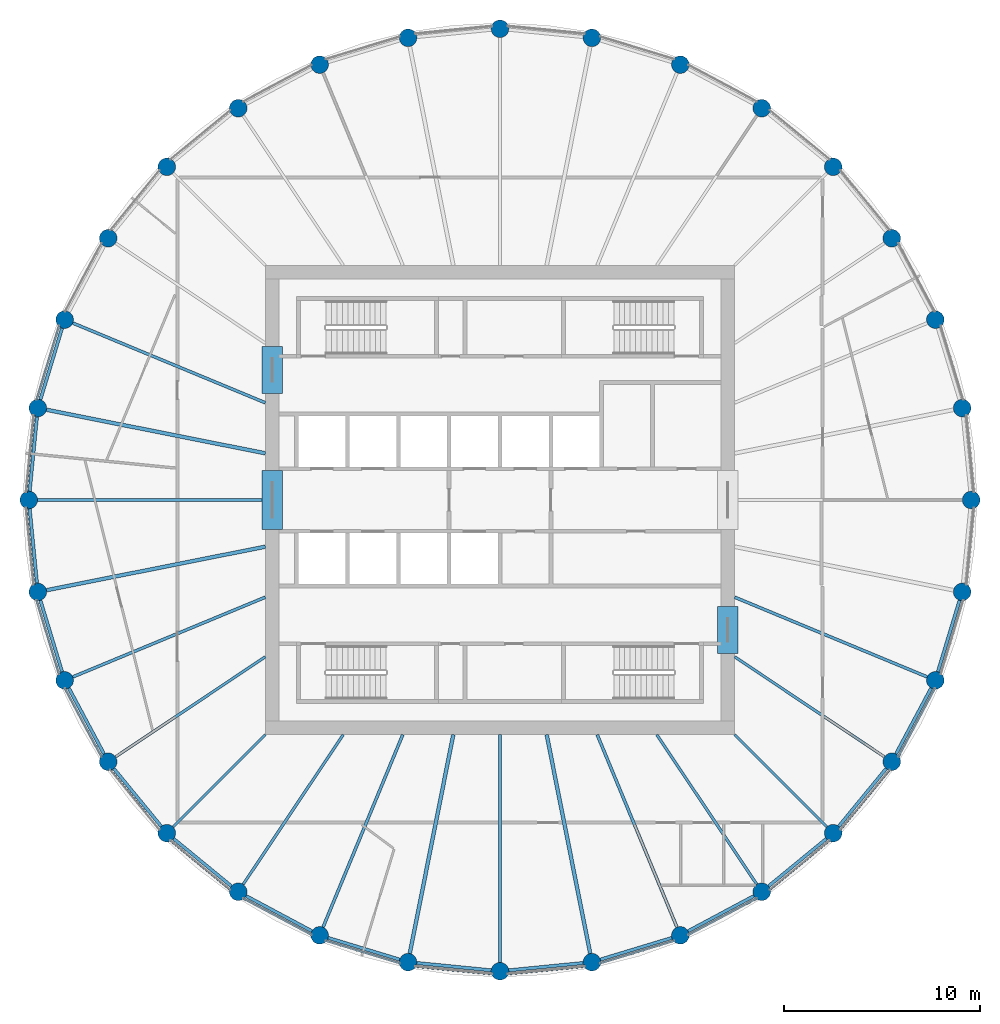
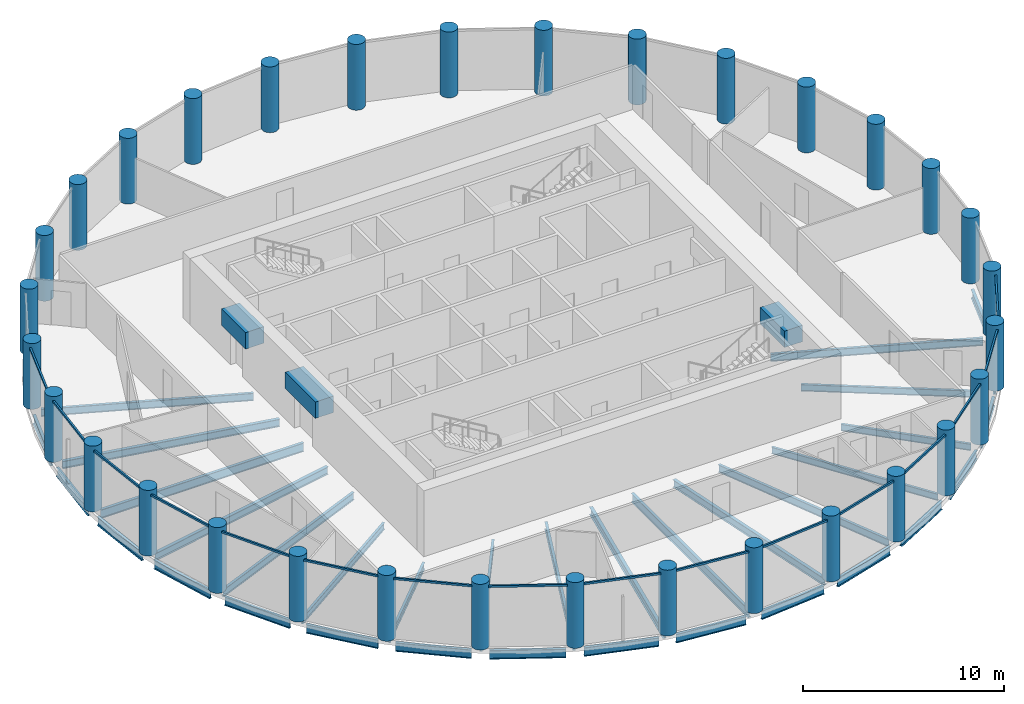
# One storey, part 1 of 7: 37 beams, 32 columns, 16 members, 16 elements without a shape of their own.
"""IFC4 building model written with IfcOpenShell, lengths in metres."""

import ifcopenshell
import ifcopenshell.guid

model = None  # the IFC model being written
_history = None  # IfcOwnerHistory: only IFC2X3 demands one
_inside = {}  # id of a spatial element -> (the spatial element, [elements in it])
_under = {}  # id of a project, library or spatial element -> (it, [spatial elements below it])
_declared = {}  # id of a project -> (the project, [libraries it declares])
_typed = {}  # id of a type object -> (the type object, [elements of that type])
_made_of = {}  # id of a material, layer set ... -> (it, [elements and type objects made of it])


def new_model(schema):
    """Start an empty IFC model of exactly this schema.

    Asked for "IFC4X3", IfcOpenShell would pick the latest addendum, in which some entities
    have other attributes; the version numbers below select the first issue.
    IFC2X3 requires an IfcOwnerHistory on every rooted entity: one is made here for all.
    """
    global model, _history
    if schema == "IFC4X3":
        model = ifcopenshell.file(schema_version=(4, 3, 0, 0))
    else:
        model = ifcopenshell.file(schema=schema)
    _inside.clear()
    _under.clear()
    _declared.clear()
    _typed.clear()
    _made_of.clear()
    _history = None
    if model.schema == "IFC2X3":
        org = make("IfcOrganization", Name="unknown")
        user = make(
            "IfcPersonAndOrganization",
            ThePerson=make("IfcPerson", FamilyName="unknown"),
            TheOrganization=org,
        )
        app = make(
            "IfcApplication",
            ApplicationDeveloper=org,
            Version="unknown",
            ApplicationFullName="unknown",
            ApplicationIdentifier="unknown",
        )
        _history = make(
            "IfcOwnerHistory",
            OwningUser=user,
            OwningApplication=app,
            ChangeAction="ADDED",
            CreationDate=0,
        )
    return model


def make(cls, **values):
    """One entity of the class cls with the attributes given. An attribute that is None is left unset."""
    return model.create_entity(
        cls, **{name: value for name, value in values.items() if value is not None}
    )


def rooted(cls, **values):
    """An entity with a GlobalId (a new one), such as an element, a storey or a relation."""
    return make(cls, GlobalId=ifcopenshell.guid.new(), OwnerHistory=_history, **values)


def si_unit(unit_type, name, prefix=None):
    """IfcSIUnit, for example si_unit("LENGTHUNIT", "METRE", prefix="MILLI")."""
    return make("IfcSIUnit", UnitType=unit_type, Prefix=prefix, Name=name)


def assignment(units):
    """IfcUnitAssignment: the units of a project."""
    return None if units is None else make("IfcUnitAssignment", Units=units)


def point(xyz):
    """IfcCartesianPoint."""
    return None if xyz is None else make("IfcCartesianPoint", Coordinates=xyz)


def direction(xyz):
    """IfcDirection."""
    return None if xyz is None else make("IfcDirection", DirectionRatios=xyz)


def frame(location, z_axis=None, x_axis=None):
    """IfcAxis2Placement3D, a coordinate frame: its origin and axes. An axis left out is left unset."""
    return make(
        "IfcAxis2Placement3D",
        Location=point(location),
        Axis=direction(z_axis),
        RefDirection=direction(x_axis),
    )


def frame_2d(location, x_axis=None):
    """IfcAxis2Placement2D, a coordinate frame in the plane: its origin and x axis."""
    return make(
        "IfcAxis2Placement2D", Location=point(location), RefDirection=direction(x_axis)
    )


def origin():
    """The frame at (0, 0, 0) with its axes left unset."""
    return frame((0.0, 0.0, 0.0))


def origin_2d():
    """The frame at (0, 0) in the plane with its x axis left unset."""
    return frame_2d((0.0, 0.0))


def place(relative_to, where):
    """IfcLocalPlacement: puts the frame where relative to a parent placement (None: the world)."""
    return make(
        "IfcLocalPlacement", PlacementRelTo=relative_to, RelativePlacement=where
    )


def context(
    kind, dimensions, precision=None, world=None, true_north=None, identifier=None
):
    """IfcGeometricRepresentationContext, for example the 3D "Model" context."""
    return make(
        "IfcGeometricRepresentationContext",
        ContextIdentifier=identifier,
        ContextType=kind,
        CoordinateSpaceDimension=dimensions,
        Precision=precision,
        WorldCoordinateSystem=world,
        TrueNorth=true_north,
    )


def subcontext(parent, identifier, kind, view, scale=None):
    """IfcGeometricRepresentationSubContext, for example "Body" below "Model"."""
    return make(
        "IfcGeometricRepresentationSubContext",
        ContextIdentifier=identifier,
        ContextType=kind,
        ParentContext=parent,
        TargetScale=scale,
        TargetView=view,
    )


def project(units=None, contexts=None):
    """IfcProject with its units and contexts."""
    return rooted(
        "IfcProject",
        Name="project",
        RepresentationContexts=contexts,
        UnitsInContext=assignment(units),
    )


def spatial(cls, under=None, at=None, **own):
    """A site, building, storey or space (cls), placed at a placement, below another one or the project."""
    s = rooted(cls, ObjectPlacement=at, **own)
    if under is not None:
        _under.setdefault(under.id(), (under, []))[1].append(s)
    return s


def profile(cls, at=None, kind="AREA", **sizes):
    """A parametric profile (cls). Its sizes go by their IFC names, for example OverallWidth=200.0."""
    return make(cls, ProfileType=kind, Position=at, **sizes)


def rectangle(**sizes):
    """IfcRectangleProfileDef."""
    return profile("IfcRectangleProfileDef", **sizes)


def circle(**sizes):
    """IfcCircleProfileDef."""
    return profile("IfcCircleProfileDef", **sizes)


def i_section(**sizes):
    """IfcIShapeProfileDef."""
    return profile("IfcIShapeProfileDef", **sizes)


def extrude(swept, where, along, depth):
    """IfcExtrudedAreaSolid: the profile swept, set in the frame where, extruded along a direction by depth."""
    return make(
        "IfcExtrudedAreaSolid",
        SweptArea=swept,
        Position=where,
        ExtrudedDirection=direction(along),
        Depth=depth,
    )


def shape(context_of_items, identifier, shape_type, items):
    """IfcShapeRepresentation: the items that make up one representation, for example the "Body"."""
    return make(
        "IfcShapeRepresentation",
        ContextOfItems=context_of_items,
        RepresentationIdentifier=identifier,
        RepresentationType=shape_type,
        Items=items,
    )


def material(Name=None, Category=None):
    """IfcMaterial."""
    return make("IfcMaterial", Name=Name, Category=Category)


def material_profile(
    of_material, cross_section, Name=None, Category=None, Priority=None
):
    """IfcMaterialProfile: a cross section and its material."""
    return make(
        "IfcMaterialProfile",
        Name=Name,
        Material=of_material,
        Profile=cross_section,
        Priority=Priority,
        Category=Category,
    )


def profile_set(profiles, Name=None, composite=None):
    """IfcMaterialProfileSet."""
    return make(
        "IfcMaterialProfileSet",
        Name=Name,
        MaterialProfiles=profiles,
        CompositeProfile=composite,
    )


def made_of(thing, what):
    """Note that an element or type object is made of a material, layer set ...; save() writes the relation."""
    if what is not None:
        _made_of.setdefault(what.id(), (what, []))[1].append(thing)
    return thing


def type_object(cls, material=None, **own):
    """A type object (cls), such as IfcWallType, which elements share."""
    return made_of(rooted(cls, **own), material)


def element(
    cls,
    number,
    at=None,
    inside=None,
    cuts=None,
    type_object=None,
    material=None,
    context=None,
    identifier="Body",
    shape_type=None,
    held_by="IfcProductDefinitionShape",
    body=None,
    shapes=None,
    **own,
):
    """One element of the class cls, such as IfcWall. Its Tag is "e" and its number.

    at: its placement. inside: the storey or other place that contains it. cuts: it is an
    opening in that element (IfcRelVoidsElement). A single representation is given by context,
    identifier, shape_type and body (its items); several are given by shapes. held_by: the class
    of the entity that holds the representations. save() writes the other relations.
    """
    e = rooted(cls, Tag="e%d" % number, ObjectPlacement=at, **own)
    if body is not None:
        shapes = [shape(context, identifier, shape_type, body)]
    if shapes is not None:
        e.Representation = make(held_by, Representations=shapes)
    if inside is not None:
        _inside.setdefault(inside.id(), (inside, []))[1].append(e)
    if cuts is not None:
        rooted(
            "IfcRelVoidsElement", RelatingBuildingElement=cuts, RelatedOpeningElement=e
        )
    if type_object is not None:
        _typed.setdefault(type_object.id(), (type_object, []))[1].append(e)
    return made_of(e, material)


def aggregate(whole, parts):
    """IfcRelAggregates: a whole, such as a stair, and the parts it consists of."""
    return rooted("IfcRelAggregates", RelatingObject=whole, RelatedObjects=parts)


def save(model, path):
    """Write the relations noted so far, then the file.

    IfcRelAggregates (storeys below a building ...), IfcRelContainedInSpatialStructure (elements
    in a storey), IfcRelDefinesByType, IfcRelAssociatesMaterial and IfcRelDeclares: one each for
    every whole, place, type object, material and project.
    """
    for whole, parts in _under.values():
        aggregate(whole, parts)
    for where, things in _inside.values():
        rooted(
            "IfcRelContainedInSpatialStructure",
            RelatedElements=things,
            RelatingStructure=where,
        )
    for kind, things in _typed.values():
        rooted("IfcRelDefinesByType", RelatedObjects=things, RelatingType=kind)
    for what, things in _made_of.values():
        rooted("IfcRelAssociatesMaterial", RelatedObjects=things, RelatingMaterial=what)
    for by, libraries in _declared.values():
        rooted("IfcRelDeclares", RelatingContext=by, RelatedDefinitions=libraries)
    model.write(path)


model = new_model("IFC4")

# Units and contexts
model_context = context("Model", 3, precision=1e-05, world=origin(), true_north=direction((0.0, 1.0)))
body_context = subcontext(model_context, "Body", "Model", "MODEL_VIEW")
ifc_project = project(units=[si_unit("LENGTHUNIT", "METRE"), si_unit("AREAUNIT", "SQUARE_METRE"), si_unit("VOLUMEUNIT", "CUBIC_METRE"), si_unit("PLANEANGLEUNIT", "RADIAN"), si_unit("MASSUNIT", "GRAM", prefix="KILO")], contexts=[model_context])

# Site, building, storey
site_placement = place(None, origin())
site = spatial("IfcSite", under=ifc_project, at=site_placement, CompositionType="ELEMENT")
building_placement = place(site_placement, origin())
building = spatial("IfcBuilding", under=site, at=building_placement, Name="Corvane Civic Tower", CompositionType="ELEMENT")
storey_placement = place(building_placement, frame((0.0, 0.0, 271.0)))
storey = spatial("IfcBuildingStorey", under=building, at=storey_placement, Name="L64", CompositionType="ELEMENT", Elevation=271.0)

# Columns
ifc_material_1 = material(Name="Concrete C60/75", Category="concrete")
ifc_material_profile_1 = material_profile(ifc_material_1, circle(Radius=0.449951171875, at=origin_2d()), Name="COLUMN 900")
ifc_profile_set_1 = profile_set([ifc_material_profile_1], Name="Concrete C60/75")
column_type = type_object("IfcColumnType", Name="RC COLUMN COLUMN 900", PredefinedType="COLUMN", material=ifc_profile_set_1)
for number, where, z_axis, x_axis, name in (
    (1, (0.0, 24.10009765625, 0.0), (0.0, 0.0, 1.0), (1.0, 0.0, 0.0), "COL-L64-E01"),
    (2, (4.70166015625, 23.636962890625, 0.0), (0.0, 0.0, 1.0), (1.0, 0.0, 0.0), "COL-L64-E02"),
    (3, (9.22265625, 22.265380859375, 0.0), (0.0, 0.0, 1.0), (1.0, 0.0, 0.0), "COL-L64-E03"),
    (4, (13.38916015625, 20.038330078125, 0.0), (0.0, 0.0, 1.0), (1.0, 0.0, 0.0), "COL-L64-E04"),
    (5, (17.041259765625, 17.041259765625, 0.0), (0.0, 0.0, 1.0), (1.0, 0.0, 0.0), "COL-L64-E05"),
    (6, (20.038330078125, 13.38916015625, 0.0), (0.0, 0.0, 1.0), (1.0, 0.0, 0.0), "COL-L64-E06"),
    (7, (22.265380859375, 9.22265625, 0.0), (0.0, 0.0, 1.0), (1.0, 0.0, 0.0), "COL-L64-E07"),
    (8, (23.636962890625, 4.70166015625, 0.0), (0.0, 0.0, 1.0), (1.0, 0.0, 0.0), "COL-L64-E08"),
    (9, (24.10009765625, 0.0, 0.0), (0.0, 0.0, 1.0), (1.0, 0.0, 0.0), "COL-L64-E09"),
    (10, (23.636962890625, -4.70166015625, 0.0), (0.0, 0.0, 1.0), (1.0, 0.0, 0.0), "COL-L64-E10"),
    (11, (22.265380859375, -9.22265625, 0.0), (0.0, 0.0, 1.0), (1.0, 0.0, 0.0), "COL-L64-E11"),
    (12, (20.038330078125, -13.38916015625, 0.0), (0.0, 0.0, 1.0), (1.0, 0.0, 0.0), "COL-L64-E12"),
    (13, (17.041259765625, -17.041259765625, 0.0), (0.0, 0.0, 1.0), (1.0, 0.0, 0.0), "COL-L64-E13"),
    (14, (13.38916015625, -20.038330078125, 0.0), (0.0, 0.0, 1.0), (1.0, 0.0, 0.0), "COL-L64-E14"),
    (15, (9.22265625, -22.265380859375, 0.0), (0.0, 0.0, 1.0), (1.0, 0.0, 0.0), "COL-L64-E15"),
    (16, (4.70166015625, -23.636962890625, 0.0), (0.0, 0.0, 1.0), (1.0, 0.0, 0.0), "COL-L64-E16"),
    (17, (0.0, -24.10009765625, 0.0), (0.0, 0.0, 1.0), (1.0, 0.0, 0.0), "COL-L64-E17"),
    (18, (-4.70166015625, -23.636962890625, 0.0), (0.0, 0.0, 1.0), (1.0, 0.0, 0.0), "COL-L64-E18"),
    (19, (-9.22265625, -22.265380859375, 0.0), (0.0, 0.0, 1.0), (1.0, 0.0, 0.0), "COL-L64-E19"),
    (20, (-13.38916015625, -20.038330078125, 0.0), (0.0, 0.0, 1.0), (1.0, 0.0, 0.0), "COL-L64-E20"),
    (21, (-17.041259765625, -17.041259765625, 0.0), (0.0, 0.0, 1.0), (1.0, 0.0, 0.0), "COL-L64-E21"),
    (22, (-20.038330078125, -13.38916015625, 0.0), (0.0, 0.0, 1.0), (1.0, 0.0, 0.0), "COL-L64-E22"),
    (23, (-22.265380859375, -9.22265625, 0.0), (0.0, 0.0, 1.0), (1.0, 0.0, 0.0), "COL-L64-E23"),
    (24, (-23.636962890625, -4.70166015625, 0.0), (0.0, 0.0, 1.0), (1.0, 0.0, 0.0), "COL-L64-E24"),
    (25, (-24.10009765625, 0.0, 0.0), (0.0, 0.0, 1.0), (1.0, 0.0, 0.0), "COL-L64-E25"),
    (26, (-23.636962890625, 4.70166015625, 0.0), (0.0, 0.0, 1.0), (1.0, 0.0, 0.0), "COL-L64-E26"),
    (27, (-22.265380859375, 9.22265625, 0.0), (0.0, 0.0, 1.0), (1.0, 0.0, 0.0), "COL-L64-E27"),
    (28, (-20.038330078125, 13.38916015625, 0.0), (0.0, 0.0, 1.0), (1.0, 0.0, 0.0), "COL-L64-E28"),
    (29, (-17.041259765625, 17.041259765625, 0.0), (0.0, 0.0, 1.0), (1.0, 0.0, 0.0), "COL-L64-E29"),
    (30, (-13.38916015625, 20.038330078125, 0.0), (0.0, 0.0, 1.0), (1.0, 0.0, 0.0), "COL-L64-E30"),
    (31, (-9.22265625, 22.265380859375, 0.0), (0.0, 0.0, 1.0), (1.0, 0.0, 0.0), "COL-L64-E31"),
    (32, (-4.70166015625, 23.636962890625, 0.0), (0.0, 0.0, 1.0), (1.0, 0.0, 0.0), "COL-L64-E32"),
):
    element("IfcColumn", number, at=place(storey_placement, frame(where, z_axis=z_axis, x_axis=x_axis)), inside=storey, type_object=column_type, Name=name, PredefinedType="COLUMN", context=body_context, shape_type="SweptSolid", body=[
        extrude(circle(Radius=0.449951171875, at=origin_2d()), origin(), (0.0, 0.0, 1.0), 4.0),
    ])

# Beams
ifc_material_2 = material(Name="Concrete C40/50", Category="concrete")
ifc_material_profile_2 = material_profile(ifc_material_2, rectangle(XDim=1.050048828125, YDim=1.0, at=origin_2d()), Name="COUPLING BEAM 1050X1000")
ifc_profile_set_2 = profile_set([ifc_material_profile_2], Name="Concrete C40/50")
beam_type_1 = type_object("IfcBeamType", Name="COUPLING BEAM COUPLING BEAM 1050X1000", PredefinedType="BEAM", material=ifc_profile_set_2)
beam_1_placement = place(storey_placement, frame((-11.64990234375, -1.5, 2.60009765625), z_axis=(0.0, 1.0, 0.0), x_axis=(-1.0, 0.0, 0.0)))
element("IfcBeam", 33, at=beam_1_placement, inside=storey, type_object=beam_type_1, Name="BM-L64-cpl-CW-LW", PredefinedType="BEAM", context=body_context, shape_type="SweptSolid", body=[
    extrude(rectangle(XDim=1.050048828125, YDim=1.0, at=origin_2d()), origin(), (0.0, 0.0, 1.0), 3.0),
])
for number, where, z_axis, x_axis, name in (
    (34, (-11.64990234375, 5.449951171875, 2.60009765625), (0.0, 1.0, 0.0), (-1.0, 0.0, 0.0), "BM-L64-cpl-CW-WN"),
    (35, (11.64990234375, -7.85009765625, 2.60009765625), (0.0, 1.0, 0.0), (-1.0, 0.0, 0.0), "BM-L64-cpl-CW-ES"),
):
    element("IfcBeam", number, at=place(storey_placement, frame(where, z_axis=z_axis, x_axis=x_axis)), inside=storey, type_object=beam_type_1, Name=name, PredefinedType="BEAM", context=body_context, shape_type="SweptSolid", body=[
        extrude(rectangle(XDim=1.050048828125, YDim=1.0, at=origin_2d()), origin(), (0.0, 0.0, 1.0), 2.400146484375),
    ])
ifc_material_3 = material(Name="Steel ASTM A992 Gr 50", Category="steel")
ifc_material_profile_3 = material_profile(ifc_material_3, i_section(OverallWidth=0.165771484375, OverallDepth=0.5283203125, WebThickness=0.009765625, FlangeThickness=0.013671875, at=origin_2d()), Name="W21X50")
ifc_profile_set_3 = profile_set([ifc_material_profile_3], Name="Steel ASTM A992 Gr 50")
beam_type_2 = type_object("IfcBeamType", Name="EDGE BEAM W21X50", PredefinedType="BEAM", material=ifc_profile_set_3)
beam_2_placement = place(storey_placement, frame((23.50634765625, -5.13232421875, -0.564208984375), z_axis=(-0.290333385085, -0.95692555902, 0.0), x_axis=(0.95692555902, -0.290333385085, 0.0)))
element("IfcBeam", 36, at=beam_2_placement, inside=storey, type_object=beam_type_2, Name="BM-L64-E10", PredefinedType="BEAM", context=body_context, shape_type="SweptSolid", body=[
    extrude(i_section(OverallWidth=0.165771484375, OverallDepth=0.5283203125, WebThickness=0.009765625, FlangeThickness=0.013671875, at=origin_2d()), origin(), (0.0, 0.0, 1.0), 3.824462890625),
])
beam_3_placement = place(storey_placement, frame((22.05322265625, -9.61962890625, -0.564208984375), z_axis=(-0.471409804487, -0.881914279413, 0.0), x_axis=(0.881914279413, -0.471409804487, 0.0)))
element("IfcBeam", 37, at=beam_3_placement, inside=storey, type_object=beam_type_2, Name="BM-L64-E11", PredefinedType="BEAM", context=body_context, shape_type="SweptSolid", body=[
    extrude(i_section(OverallWidth=0.165771484375, OverallDepth=0.5283203125, WebThickness=0.009765625, FlangeThickness=0.013671875, at=origin_2d()), origin(), (0.0, 0.0, 1.0), 3.82421875),
])
for number, where, z_axis, x_axis, name in (
    (38, (19.7529296875, -13.737060546875, -0.564208984375), (-0.634408562057, -0.772997914867, 0.0), (0.772997914867, -0.634408562057, 0.0), "BM-L64-E12"),
    (39, (16.693359375, -17.32666015625, -0.564208984375), (-0.772997914867, -0.634408562057, 0.0), (0.634408562057, -0.772997914867, 0.0), "BM-L64-E13"),
):
    element("IfcBeam", number, at=place(storey_placement, frame(where, z_axis=z_axis, x_axis=x_axis)), inside=storey, type_object=beam_type_2, Name=name, PredefinedType="BEAM", context=body_context, shape_type="SweptSolid", body=[
        extrude(i_section(OverallWidth=0.165771484375, OverallDepth=0.5283203125, WebThickness=0.009765625, FlangeThickness=0.013671875, at=origin_2d()), origin(), (0.0, 0.0, 1.0), 3.824462890625),
    ])
beam_4_placement = place(storey_placement, frame((12.9921875, -20.25048828125, -0.564208984375), z_axis=(-0.881914279413, -0.471409804487, 0.0), x_axis=(0.471409804487, -0.881914279413, 0.0)))
element("IfcBeam", 40, at=beam_4_placement, inside=storey, type_object=beam_type_2, Name="BM-L64-E14", PredefinedType="BEAM", context=body_context, shape_type="SweptSolid", body=[
    extrude(i_section(OverallWidth=0.165771484375, OverallDepth=0.5283203125, WebThickness=0.009765625, FlangeThickness=0.013671875, at=origin_2d()), origin(), (0.0, 0.0, 1.0), 3.82421875),
])
for number, where, z_axis, x_axis, name in (
    (41, (8.7919921875, -22.39599609375, -0.564208984375), (-0.95692555902, -0.290333385085, 0.0), (0.290333385085, -0.95692555902, 0.0), "BM-L64-E15"),
    (42, (4.25390625, -23.68115234375, -0.564208984375), (-0.995187721162, -0.097986732007, 0.0), (0.097986732007, -0.995187721162, 0.0), "BM-L64-E16"),
    (43, (-0.44775390625, -24.055908203125, -0.564208984375), (-0.995187721162, 0.097986732007, 0.0), (-0.097986732007, -0.995187721162, 0.0), "BM-L64-E17"),
    (44, (-5.13232421875, -23.50634765625, -0.564208984375), (-0.95692555902, 0.290333385085, 0.0), (-0.290333385085, -0.95692555902, 0.0), "BM-L64-E18"),
):
    element("IfcBeam", number, at=place(storey_placement, frame(where, z_axis=z_axis, x_axis=x_axis)), inside=storey, type_object=beam_type_2, Name=name, PredefinedType="BEAM", context=body_context, shape_type="SweptSolid", body=[
        extrude(i_section(OverallWidth=0.165771484375, OverallDepth=0.5283203125, WebThickness=0.009765625, FlangeThickness=0.013671875, at=origin_2d()), origin(), (0.0, 0.0, 1.0), 3.824462890625),
    ])
beam_5_placement = place(storey_placement, frame((-9.61962890625, -22.05322265625, -0.564208984375), z_axis=(-0.881914279413, 0.471409804487, 0.0), x_axis=(-0.471409804487, -0.881914279413, 0.0)))
element("IfcBeam", 45, at=beam_5_placement, inside=storey, type_object=beam_type_2, Name="BM-L64-E19", PredefinedType="BEAM", context=body_context, shape_type="SweptSolid", body=[
    extrude(i_section(OverallWidth=0.165771484375, OverallDepth=0.5283203125, WebThickness=0.009765625, FlangeThickness=0.013671875, at=origin_2d()), origin(), (0.0, 0.0, 1.0), 3.82421875),
])
for number, where, z_axis, x_axis, name in (
    (46, (-13.737060546875, -19.7529296875, -0.564208984375), (-0.772997914867, 0.634408562057, 0.0), (-0.634408562057, -0.772997914867, 0.0), "BM-L64-E20"),
    (47, (-17.32666015625, -16.693359375, -0.564208984375), (-0.634408562057, 0.772997914867, 0.0), (-0.772997914867, -0.634408562057, 0.0), "BM-L64-E21"),
):
    element("IfcBeam", number, at=place(storey_placement, frame(where, z_axis=z_axis, x_axis=x_axis)), inside=storey, type_object=beam_type_2, Name=name, PredefinedType="BEAM", context=body_context, shape_type="SweptSolid", body=[
        extrude(i_section(OverallWidth=0.165771484375, OverallDepth=0.5283203125, WebThickness=0.009765625, FlangeThickness=0.013671875, at=origin_2d()), origin(), (0.0, 0.0, 1.0), 3.824462890625),
    ])
beam_6_placement = place(storey_placement, frame((-20.25048828125, -12.9921875, -0.564208984375), z_axis=(-0.471409804487, 0.881914279413, 0.0), x_axis=(-0.881914279413, -0.471409804487, 0.0)))
element("IfcBeam", 48, at=beam_6_placement, inside=storey, type_object=beam_type_2, Name="BM-L64-E22", PredefinedType="BEAM", context=body_context, shape_type="SweptSolid", body=[
    extrude(i_section(OverallWidth=0.165771484375, OverallDepth=0.5283203125, WebThickness=0.009765625, FlangeThickness=0.013671875, at=origin_2d()), origin(), (0.0, 0.0, 1.0), 3.82421875),
])
for number, where, z_axis, x_axis, name in (
    (49, (-22.39599609375, -8.7919921875, -0.564208984375), (-0.290333385085, 0.95692555902, 0.0), (-0.95692555902, -0.290333385085, 0.0), "BM-L64-E23"),
    (50, (-23.68115234375, -4.25390625, -0.564208984375), (-0.097986732007, 0.995187721162, 0.0), (-0.995187721162, -0.097986732007, 0.0), "BM-L64-E24"),
    (51, (-24.055908203125, 0.44775390625, -0.564208984375), (0.097986732007, 0.995187721162, 0.0), (-0.995187721162, 0.097986732007, 0.0), "BM-L64-E25"),
    (52, (-23.50634765625, 5.13232421875, -0.564208984375), (0.290333385085, 0.95692555902, 0.0), (-0.95692555902, 0.290333385085, 0.0), "BM-L64-E26"),
):
    element("IfcBeam", number, at=place(storey_placement, frame(where, z_axis=z_axis, x_axis=x_axis)), inside=storey, type_object=beam_type_2, Name=name, PredefinedType="BEAM", context=body_context, shape_type="SweptSolid", body=[
        extrude(i_section(OverallWidth=0.165771484375, OverallDepth=0.5283203125, WebThickness=0.009765625, FlangeThickness=0.013671875, at=origin_2d()), origin(), (0.0, 0.0, 1.0), 3.824462890625),
    ])
ifc_material_4 = material(Name="Steel ASTM A992 Gr 50", Category="steel")
ifc_material_profile_4 = material_profile(ifc_material_4, i_section(OverallWidth=0.140380859375, OverallDepth=0.40380859375, WebThickness=0.007080078125, FlangeThickness=0.01123046875, at=origin_2d()), Name="W16X31")
ifc_profile_set_4 = profile_set([ifc_material_profile_4], Name="Steel ASTM A992 Gr 50")
beam_type_3 = type_object("IfcBeamType", Name="FLOOR GIRDER W16X31", PredefinedType="BEAM", material=ifc_profile_set_4)
beam_7_placement = place(storey_placement, frame((12.0, -8.01806640625, -0.501953125), z_axis=(0.831471227061, -0.555567816355, 0.0), x_axis=(0.555567816355, 0.831471227061, 0.0)))
element("IfcBeam", 53, at=beam_7_placement, inside=storey, type_object=beam_type_3, Name="BM-L64-G12", PredefinedType="BEAM", context=body_context, shape_type="SweptSolid", body=[
    extrude(i_section(OverallWidth=0.140380859375, OverallDepth=0.40380859375, WebThickness=0.007080078125, FlangeThickness=0.01123046875, at=origin_2d()), origin(), (0.0, 0.0, 1.0), 9.2177734375),
])
beam_8_placement = place(storey_placement, frame((12.0, -12.0, -0.501953125), z_axis=(0.707106781187, -0.707106781187, 0.0), x_axis=(0.707106781187, 0.707106781187, 0.0)))
element("IfcBeam", 54, at=beam_8_placement, inside=storey, type_object=beam_type_3, Name="BM-L64-G13", PredefinedType="BEAM", context=body_context, shape_type="SweptSolid", body=[
    extrude(i_section(OverallWidth=0.140380859375, OverallDepth=0.40380859375, WebThickness=0.007080078125, FlangeThickness=0.01123046875, at=origin_2d()), origin(), (0.0, 0.0, 1.0), 6.679443359375),
])
for number, where, z_axis, x_axis, name in (
    (55, (8.01806640625, -12.0, -0.501953125), (0.555567816355, -0.831471227061, 0.0), (0.831471227061, 0.555567816355, 0.0), "BM-L64-G14"),
    (56, (-8.01806640625, -12.0, -0.501953125), (-0.555567816355, -0.831471227061, 0.0), (0.831471227061, -0.555567816355, 0.0), "BM-L64-G20"),
):
    element("IfcBeam", number, at=place(storey_placement, frame(where, z_axis=z_axis, x_axis=x_axis)), inside=storey, type_object=beam_type_3, Name=name, PredefinedType="BEAM", context=body_context, shape_type="SweptSolid", body=[
        extrude(i_section(OverallWidth=0.140380859375, OverallDepth=0.40380859375, WebThickness=0.007080078125, FlangeThickness=0.01123046875, at=origin_2d()), origin(), (0.0, 0.0, 1.0), 9.2177734375),
    ])
beam_9_placement = place(storey_placement, frame((-12.0, -12.0, -0.501953125), z_axis=(-0.707106781187, -0.707106781187, 0.0), x_axis=(0.707106781187, -0.707106781187, 0.0)))
element("IfcBeam", 57, at=beam_9_placement, inside=storey, type_object=beam_type_3, Name="BM-L64-G21", PredefinedType="BEAM", context=body_context, shape_type="SweptSolid", body=[
    extrude(i_section(OverallWidth=0.140380859375, OverallDepth=0.40380859375, WebThickness=0.007080078125, FlangeThickness=0.01123046875, at=origin_2d()), origin(), (0.0, 0.0, 1.0), 6.679443359375),
])
beam_10_placement = place(storey_placement, frame((-12.0, -8.01806640625, -0.501953125), z_axis=(-0.831471227061, -0.555567816355, 0.0), x_axis=(0.555567816355, -0.831471227061, 0.0)))
element("IfcBeam", 58, at=beam_10_placement, inside=storey, type_object=beam_type_3, Name="BM-L64-G22", PredefinedType="BEAM", context=body_context, shape_type="SweptSolid", body=[
    extrude(i_section(OverallWidth=0.140380859375, OverallDepth=0.40380859375, WebThickness=0.007080078125, FlangeThickness=0.01123046875, at=origin_2d()), origin(), (0.0, 0.0, 1.0), 9.2177734375),
])
ifc_material_5 = material(Name="Steel ASTM A992 Gr 50", Category="steel")
ifc_material_profile_5 = material_profile(ifc_material_5, i_section(OverallWidth=0.15283203125, OverallDepth=0.45458984375, WebThickness=0.008056640625, FlangeThickness=0.013427734375, at=origin_2d()), Name="W18X40")
ifc_profile_set_5 = profile_set([ifc_material_profile_5], Name="Steel ASTM A992 Gr 50")
beam_type_4 = type_object("IfcBeamType", Name="FLOOR GIRDER W18X40", PredefinedType="BEAM", material=ifc_profile_set_5)
for number, where, z_axis, x_axis, name in (
    (59, (12.0, -4.970458984375, -0.52734375), (0.923875048589, -0.382694257331, 0.0), (0.382694257331, 0.923875048589, 0.0), "BM-L64-G11"),
    (60, (4.970458984375, -12.0, -0.52734375), (0.382694257331, -0.923875048589, 0.0), (0.923875048589, 0.382694257331, 0.0), "BM-L64-G15"),
    (61, (-4.970458984375, -12.0, -0.52734375), (-0.382694257331, -0.923875048589, 0.0), (0.923875048589, -0.382694257331, 0.0), "BM-L64-G19"),
    (62, (-12.0, -4.970458984375, -0.52734375), (-0.923875048589, -0.382694257331, 0.0), (0.382694257331, -0.923875048589, 0.0), "BM-L64-G23"),
    (63, (-12.0, 4.970458984375, -0.52734375), (-0.923875048589, 0.382694257331, 0.0), (-0.382694257331, -0.923875048589, 0.0), "BM-L64-G27"),
):
    element("IfcBeam", number, at=place(storey_placement, frame(where, z_axis=z_axis, x_axis=x_axis)), inside=storey, type_object=beam_type_4, Name=name, PredefinedType="BEAM", context=body_context, shape_type="SweptSolid", body=[
        extrude(i_section(OverallWidth=0.15283203125, OverallDepth=0.45458984375, WebThickness=0.008056640625, FlangeThickness=0.013427734375, at=origin_2d()), origin(), (0.0, 0.0, 1.0), 10.661376953125),
    ])
ifc_material_6 = material(Name="Steel ASTM A992 Gr 50", Category="steel")
ifc_material_profile_6 = material_profile(ifc_material_6, i_section(OverallWidth=0.1904296875, OverallDepth=0.457275390625, WebThickness=0.009033203125, FlangeThickness=0.014404296875, at=origin_2d()), Name="W18X50")
ifc_profile_set_6 = profile_set([ifc_material_profile_6], Name="Steel ASTM A992 Gr 50")
beam_type_5 = type_object("IfcBeamType", Name="FLOOR GIRDER W18X50", PredefinedType="BEAM", material=ifc_profile_set_6)
for number, where, z_axis, x_axis, name in (
    (64, (2.386962890625, -12.0, -0.528564453125), (0.195079532402, -0.980787426529, 0.0), (0.980787426529, 0.195079532402, 0.0), "BM-L64-G16"),
    (65, (-2.386962890625, -12.0, -0.528564453125), (-0.195079532402, -0.980787426529, 0.0), (0.980787426529, -0.195079532402, 0.0), "BM-L64-G18"),
    (66, (-12.0, -2.386962890625, -0.528564453125), (-0.980787426529, -0.195079532402, 0.0), (0.195079532402, -0.980787426529, 0.0), "BM-L64-G24"),
    (67, (-12.0, 2.386962890625, -0.528564453125), (-0.980787426529, 0.195079532402, 0.0), (-0.195079532402, -0.980787426529, 0.0), "BM-L64-G26"),
):
    element("IfcBeam", number, at=place(storey_placement, frame(where, z_axis=z_axis, x_axis=x_axis)), inside=storey, type_object=beam_type_5, Name=name, PredefinedType="BEAM", context=body_context, shape_type="SweptSolid", body=[
        extrude(i_section(OverallWidth=0.1904296875, OverallDepth=0.457275390625, WebThickness=0.009033203125, FlangeThickness=0.014404296875, at=origin_2d()), origin(), (0.0, 0.0, 1.0), 11.414794921875),
    ])
ifc_material_7 = material(Name="Steel ASTM A992 Gr 50", Category="steel")
ifc_material_profile_7 = material_profile(ifc_material_7, i_section(OverallWidth=0.165771484375, OverallDepth=0.5283203125, WebThickness=0.009765625, FlangeThickness=0.013671875, at=origin_2d()), Name="W21X50")
ifc_profile_set_7 = profile_set([ifc_material_profile_7], Name="Steel ASTM A992 Gr 50")
beam_type_6 = type_object("IfcBeamType", Name="FLOOR GIRDER W21X50", PredefinedType="BEAM", material=ifc_profile_set_7)
for number, where, z_axis, x_axis, name in (
    (68, (0.0, -12.0, -0.564208984375), (0.0, -1.0, 0.0), (1.0, 0.0, 0.0), "BM-L64-G17"),
    (69, (-12.0, 0.0, -0.564208984375), (-1.0, 0.0, 0.0), (0.0, -1.0, 0.0), "BM-L64-G25"),
):
    element("IfcBeam", number, at=place(storey_placement, frame(where, z_axis=z_axis, x_axis=x_axis)), inside=storey, type_object=beam_type_6, Name=name, PredefinedType="BEAM", context=body_context, shape_type="SweptSolid", body=[
        extrude(i_section(OverallWidth=0.165771484375, OverallDepth=0.5283203125, WebThickness=0.009765625, FlangeThickness=0.013671875, at=origin_2d()), origin(), (0.0, 0.0, 1.0), 11.64990234375),
    ])

# Curtain wall, member
ifc_material_8 = material(Name="Anodised aluminium bronze", Category="aluminium")
curtain_wall_type = type_object("IfcCurtainWallType", Name="TOWER CW-T3 STICK CURTAIN WALL", PredefinedType="NOTDEFINED", material=ifc_material_8)
curtain_wall_1_placement = place(storey_placement, origin())
curtain_wall_1 = element("IfcCurtainWall", 70, at=curtain_wall_1_placement, inside=storey, type_object=curtain_wall_type, Name="Curtain wall CW-T3 L64 bay 11", PredefinedType="NOTDEFINED")
ifc_material_9 = material(Name="Anodised aluminium bronze", Category="aluminium")
ifc_material_profile_8 = material_profile(ifc_material_9, rectangle(XDim=0.10009765625, YDim=0.1201171875, at=origin_2d()), Name="TOWER CW-T3 TRANSOM 100x120")
ifc_profile_set_8 = profile_set([ifc_material_profile_8], Name="Anodised aluminium bronze")
member_type = type_object("IfcMemberType", Name="TOWER CW-T3 TRANSOM 100x120", PredefinedType="USERDEFINED", material=ifc_profile_set_8)
member_1_placement = place(storey_placement, frame((22.2431640625, -9.644775390625, 3.68994140625), z_axis=(-0.471468241052, -0.881883040816, 0.0), x_axis=(0.881883040816, -0.471468241052, 0.0)))
member_1 = element("IfcMember", 71, at=member_1_placement, type_object=member_type, Name="Transom CW-T3 L64 11.1", ObjectType="TRANSOM", PredefinedType="USERDEFINED", context=body_context, shape_type="SweptSolid", body=[
    extrude(rectangle(XDim=0.10009765625, YDim=0.1201171875, at=origin_2d()), origin(), (0.0, 0.0, 1.0), 3.958740234375),
])
aggregate(curtain_wall_1, [member_1])

curtain_wall_2_placement = place(storey_placement, origin())
curtain_wall_2 = element("IfcCurtainWall", 72, at=curtain_wall_2_placement, inside=storey, type_object=curtain_wall_type, Name="Curtain wall CW-T3 L64 bay 12", PredefinedType="NOTDEFINED")
member_2_placement = place(storey_placement, frame((19.93408203125, -13.798828125, 3.68994140625), z_axis=(-0.634415838373, -0.772991943051, 0.0), x_axis=(0.772991943051, -0.634415838373, 0.0)))
member_2 = element("IfcMember", 73, at=member_2_placement, type_object=member_type, Name="Transom CW-T3 L64 12.1", ObjectType="TRANSOM", PredefinedType="USERDEFINED", context=body_context, shape_type="SweptSolid", body=[
    extrude(rectangle(XDim=0.10009765625, YDim=0.1201171875, at=origin_2d()), origin(), (0.0, 0.0, 1.0), 3.958740234375),
])
aggregate(curtain_wall_2, [member_2])

curtain_wall_3_placement = place(storey_placement, origin())
curtain_wall_3 = element("IfcCurtainWall", 74, at=curtain_wall_3_placement, inside=storey, type_object=curtain_wall_type, Name="Curtain wall CW-T3 L64 bay 13", PredefinedType="NOTDEFINED")
member_3_placement = place(storey_placement, frame((16.85888671875, -17.422607421875, 3.68994140625), z_axis=(-0.772991943051, -0.634415838373, 0.0), x_axis=(0.634415838373, -0.772991943051, 0.0)))
member_3 = element("IfcMember", 75, at=member_3_placement, type_object=member_type, Name="Transom CW-T3 L64 13.1", ObjectType="TRANSOM", PredefinedType="USERDEFINED", context=body_context, shape_type="SweptSolid", body=[
    extrude(rectangle(XDim=0.10009765625, YDim=0.1201171875, at=origin_2d()), origin(), (0.0, 0.0, 1.0), 3.958740234375),
])
aggregate(curtain_wall_3, [member_3])

curtain_wall_4_placement = place(storey_placement, origin())
curtain_wall_4 = element("IfcCurtainWall", 76, at=curtain_wall_4_placement, inside=storey, type_object=curtain_wall_type, Name="Curtain wall CW-T3 L64 bay 14", PredefinedType="NOTDEFINED")
member_4_placement = place(storey_placement, frame((13.135986328125, -20.376708984375, 3.68994140625), z_axis=(-0.881883040816, -0.471468241052, 0.0), x_axis=(0.471468241052, -0.881883040816, 0.0)))
member_4 = element("IfcMember", 77, at=member_4_placement, type_object=member_type, Name="Transom CW-T3 L64 14.1", ObjectType="TRANSOM", PredefinedType="USERDEFINED", context=body_context, shape_type="SweptSolid", body=[
    extrude(rectangle(XDim=0.10009765625, YDim=0.1201171875, at=origin_2d()), origin(), (0.0, 0.0, 1.0), 3.958740234375),
])
aggregate(curtain_wall_4, [member_4])

curtain_wall_5_placement = place(storey_placement, origin())
curtain_wall_5 = element("IfcCurtainWall", 78, at=curtain_wall_5_placement, inside=storey, type_object=curtain_wall_type, Name="Curtain wall CW-T3 L64 bay 15", PredefinedType="NOTDEFINED")
member_5_placement = place(storey_placement, frame((8.908447265625, -22.548095703125, 3.68994140625), z_axis=(-0.956946054205, -0.290265825309, 0.0), x_axis=(0.290265825309, -0.956946054205, 0.0)))
member_5 = element("IfcMember", 79, at=member_5_placement, type_object=member_type, Name="Transom CW-T3 L64 15.1", ObjectType="TRANSOM", PredefinedType="USERDEFINED", context=body_context, shape_type="SweptSolid", body=[
    extrude(rectangle(XDim=0.10009765625, YDim=0.1201171875, at=origin_2d()), origin(), (0.0, 0.0, 1.0), 3.958984375),
])
aggregate(curtain_wall_5, [member_5])

curtain_wall_6_placement = place(storey_placement, origin())
curtain_wall_6 = element("IfcCurtainWall", 80, at=curtain_wall_6_placement, inside=storey, type_object=curtain_wall_type, Name="Curtain wall CW-T3 L64 bay 16", PredefinedType="NOTDEFINED")
member_6_placement = place(storey_placement, frame((4.338134765625, -23.852783203125, 3.68994140625), z_axis=(-0.995186866683, -0.097995409999, 0.0), x_axis=(0.097995409999, -0.995186866683, 0.0)))
member_6 = element("IfcMember", 81, at=member_6_placement, type_object=member_type, Name="Transom CW-T3 L64 16.1", ObjectType="TRANSOM", PredefinedType="USERDEFINED", context=body_context, shape_type="SweptSolid", body=[
    extrude(rectangle(XDim=0.10009765625, YDim=0.1201171875, at=origin_2d()), origin(), (0.0, 0.0, 1.0), 3.958740234375),
])
aggregate(curtain_wall_6, [member_6])

curtain_wall_7_placement = place(storey_placement, origin())
curtain_wall_7 = element("IfcCurtainWall", 82, at=curtain_wall_7_placement, inside=storey, type_object=curtain_wall_type, Name="Curtain wall CW-T3 L64 bay 17", PredefinedType="NOTDEFINED")
member_7_placement = place(storey_placement, frame((-0.3984375, -24.24072265625, 3.68994140625), z_axis=(-0.995186866683, 0.097995409999, 0.0), x_axis=(-0.097995409999, -0.995186866683, 0.0)))
member_7 = element("IfcMember", 83, at=member_7_placement, type_object=member_type, Name="Transom CW-T3 L64 17.1", ObjectType="TRANSOM", PredefinedType="USERDEFINED", context=body_context, shape_type="SweptSolid", body=[
    extrude(rectangle(XDim=0.10009765625, YDim=0.1201171875, at=origin_2d()), origin(), (0.0, 0.0, 1.0), 3.958740234375),
])
aggregate(curtain_wall_7, [member_7])

curtain_wall_8_placement = place(storey_placement, origin())
curtain_wall_8 = element("IfcCurtainWall", 84, at=curtain_wall_8_placement, inside=storey, type_object=curtain_wall_type, Name="Curtain wall CW-T3 L64 bay 18", PredefinedType="NOTDEFINED")
member_8_placement = place(storey_placement, frame((-5.119873046875, -23.697265625, 3.68994140625), z_axis=(-0.956946054205, 0.290265825309, 0.0), x_axis=(-0.290265825309, -0.956946054205, 0.0)))
member_8 = element("IfcMember", 85, at=member_8_placement, type_object=member_type, Name="Transom CW-T3 L64 18.1", ObjectType="TRANSOM", PredefinedType="USERDEFINED", context=body_context, shape_type="SweptSolid", body=[
    extrude(rectangle(XDim=0.10009765625, YDim=0.1201171875, at=origin_2d()), origin(), (0.0, 0.0, 1.0), 3.958984375),
])
aggregate(curtain_wall_8, [member_8])

curtain_wall_9_placement = place(storey_placement, origin())
curtain_wall_9 = element("IfcCurtainWall", 86, at=curtain_wall_9_placement, inside=storey, type_object=curtain_wall_type, Name="Curtain wall CW-T3 L64 bay 19", PredefinedType="NOTDEFINED")
member_9_placement = place(storey_placement, frame((-9.644775390625, -22.2431640625, 3.68994140625), z_axis=(-0.881883040816, 0.471468241052, 0.0), x_axis=(-0.471468241052, -0.881883040816, 0.0)))
member_9 = element("IfcMember", 87, at=member_9_placement, type_object=member_type, Name="Transom CW-T3 L64 19.1", ObjectType="TRANSOM", PredefinedType="USERDEFINED", context=body_context, shape_type="SweptSolid", body=[
    extrude(rectangle(XDim=0.10009765625, YDim=0.1201171875, at=origin_2d()), origin(), (0.0, 0.0, 1.0), 3.958740234375),
])
aggregate(curtain_wall_9, [member_9])

curtain_wall_10_placement = place(storey_placement, origin())
curtain_wall_10 = element("IfcCurtainWall", 88, at=curtain_wall_10_placement, inside=storey, type_object=curtain_wall_type, Name="Curtain wall CW-T3 L64 bay 20", PredefinedType="NOTDEFINED")
member_10_placement = place(storey_placement, frame((-13.798828125, -19.93408203125, 3.68994140625), z_axis=(-0.772991943051, 0.634415838373, 0.0), x_axis=(-0.634415838373, -0.772991943051, 0.0)))
member_10 = element("IfcMember", 89, at=member_10_placement, type_object=member_type, Name="Transom CW-T3 L64 20.1", ObjectType="TRANSOM", PredefinedType="USERDEFINED", context=body_context, shape_type="SweptSolid", body=[
    extrude(rectangle(XDim=0.10009765625, YDim=0.1201171875, at=origin_2d()), origin(), (0.0, 0.0, 1.0), 3.958740234375),
])
aggregate(curtain_wall_10, [member_10])

curtain_wall_11_placement = place(storey_placement, origin())
curtain_wall_11 = element("IfcCurtainWall", 90, at=curtain_wall_11_placement, inside=storey, type_object=curtain_wall_type, Name="Curtain wall CW-T3 L64 bay 21", PredefinedType="NOTDEFINED")
member_11_placement = place(storey_placement, frame((-17.422607421875, -16.85888671875, 3.68994140625), z_axis=(-0.634415838373, 0.772991943051, 0.0), x_axis=(-0.772991943051, -0.634415838373, 0.0)))
member_11 = element("IfcMember", 91, at=member_11_placement, type_object=member_type, Name="Transom CW-T3 L64 21.1", ObjectType="TRANSOM", PredefinedType="USERDEFINED", context=body_context, shape_type="SweptSolid", body=[
    extrude(rectangle(XDim=0.10009765625, YDim=0.1201171875, at=origin_2d()), origin(), (0.0, 0.0, 1.0), 3.958740234375),
])
aggregate(curtain_wall_11, [member_11])

curtain_wall_12_placement = place(storey_placement, origin())
curtain_wall_12 = element("IfcCurtainWall", 92, at=curtain_wall_12_placement, inside=storey, type_object=curtain_wall_type, Name="Curtain wall CW-T3 L64 bay 22", PredefinedType="NOTDEFINED")
member_12_placement = place(storey_placement, frame((-20.376708984375, -13.135986328125, 3.68994140625), z_axis=(-0.471468241052, 0.881883040816, 0.0), x_axis=(-0.881883040816, -0.471468241052, 0.0)))
member_12 = element("IfcMember", 93, at=member_12_placement, type_object=member_type, Name="Transom CW-T3 L64 22.1", ObjectType="TRANSOM", PredefinedType="USERDEFINED", context=body_context, shape_type="SweptSolid", body=[
    extrude(rectangle(XDim=0.10009765625, YDim=0.1201171875, at=origin_2d()), origin(), (0.0, 0.0, 1.0), 3.958740234375),
])
aggregate(curtain_wall_12, [member_12])

curtain_wall_13_placement = place(storey_placement, origin())
curtain_wall_13 = element("IfcCurtainWall", 94, at=curtain_wall_13_placement, inside=storey, type_object=curtain_wall_type, Name="Curtain wall CW-T3 L64 bay 23", PredefinedType="NOTDEFINED")
member_13_placement = place(storey_placement, frame((-22.548095703125, -8.908447265625, 3.68994140625), z_axis=(-0.290265825309, 0.956946054205, 0.0), x_axis=(-0.956946054205, -0.290265825309, 0.0)))
member_13 = element("IfcMember", 95, at=member_13_placement, type_object=member_type, Name="Transom CW-T3 L64 23.1", ObjectType="TRANSOM", PredefinedType="USERDEFINED", context=body_context, shape_type="SweptSolid", body=[
    extrude(rectangle(XDim=0.10009765625, YDim=0.1201171875, at=origin_2d()), origin(), (0.0, 0.0, 1.0), 3.958984375),
])
aggregate(curtain_wall_13, [member_13])

curtain_wall_14_placement = place(storey_placement, origin())
curtain_wall_14 = element("IfcCurtainWall", 96, at=curtain_wall_14_placement, inside=storey, type_object=curtain_wall_type, Name="Curtain wall CW-T3 L64 bay 24", PredefinedType="NOTDEFINED")
member_14_placement = place(storey_placement, frame((-23.852783203125, -4.338134765625, 3.68994140625), z_axis=(-0.097995409999, 0.995186866683, 0.0), x_axis=(-0.995186866683, -0.097995409999, 0.0)))
member_14 = element("IfcMember", 97, at=member_14_placement, type_object=member_type, Name="Transom CW-T3 L64 24.1", ObjectType="TRANSOM", PredefinedType="USERDEFINED", context=body_context, shape_type="SweptSolid", body=[
    extrude(rectangle(XDim=0.10009765625, YDim=0.1201171875, at=origin_2d()), origin(), (0.0, 0.0, 1.0), 3.958740234375),
])
aggregate(curtain_wall_14, [member_14])

curtain_wall_15_placement = place(storey_placement, origin())
curtain_wall_15 = element("IfcCurtainWall", 98, at=curtain_wall_15_placement, inside=storey, type_object=curtain_wall_type, Name="Curtain wall CW-T3 L64 bay 25", PredefinedType="NOTDEFINED")
member_15_placement = place(storey_placement, frame((-24.24072265625, 0.3984375, 3.68994140625), z_axis=(0.097995409999, 0.995186866683, 0.0), x_axis=(-0.995186866683, 0.097995409999, 0.0)))
member_15 = element("IfcMember", 99, at=member_15_placement, type_object=member_type, Name="Transom CW-T3 L64 25.1", ObjectType="TRANSOM", PredefinedType="USERDEFINED", context=body_context, shape_type="SweptSolid", body=[
    extrude(rectangle(XDim=0.10009765625, YDim=0.1201171875, at=origin_2d()), origin(), (0.0, 0.0, 1.0), 3.958740234375),
])
aggregate(curtain_wall_15, [member_15])

curtain_wall_16_placement = place(storey_placement, origin())
curtain_wall_16 = element("IfcCurtainWall", 100, at=curtain_wall_16_placement, inside=storey, type_object=curtain_wall_type, Name="Curtain wall CW-T3 L64 bay 26", PredefinedType="NOTDEFINED")
member_16_placement = place(storey_placement, frame((-23.697265625, 5.119873046875, 3.68994140625), z_axis=(0.290265825309, 0.956946054205, 0.0), x_axis=(-0.956946054205, 0.290265825309, 0.0)))
member_16 = element("IfcMember", 101, at=member_16_placement, type_object=member_type, Name="Transom CW-T3 L64 26.1", ObjectType="TRANSOM", PredefinedType="USERDEFINED", context=body_context, shape_type="SweptSolid", body=[
    extrude(rectangle(XDim=0.10009765625, YDim=0.1201171875, at=origin_2d()), origin(), (0.0, 0.0, 1.0), 3.958984375),
])
aggregate(curtain_wall_16, [member_16])

save(model, "model.ifc")
